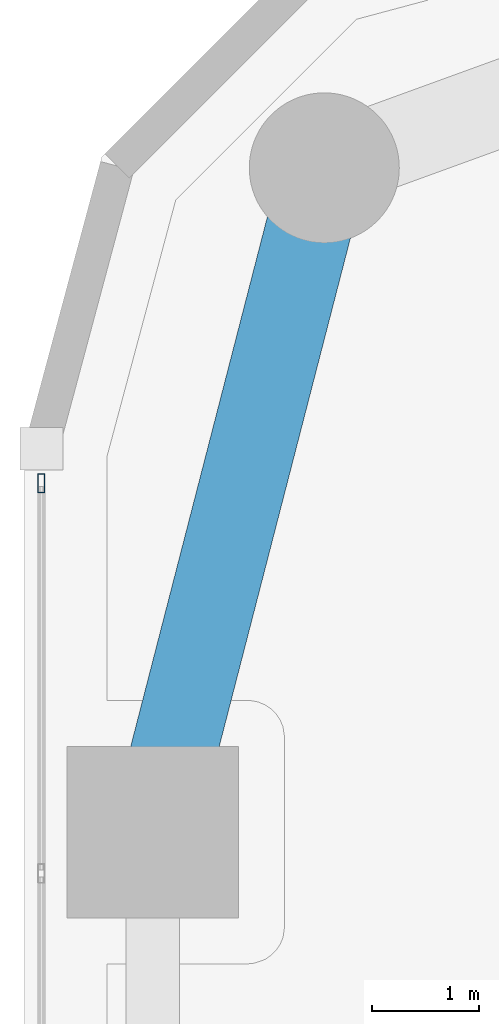
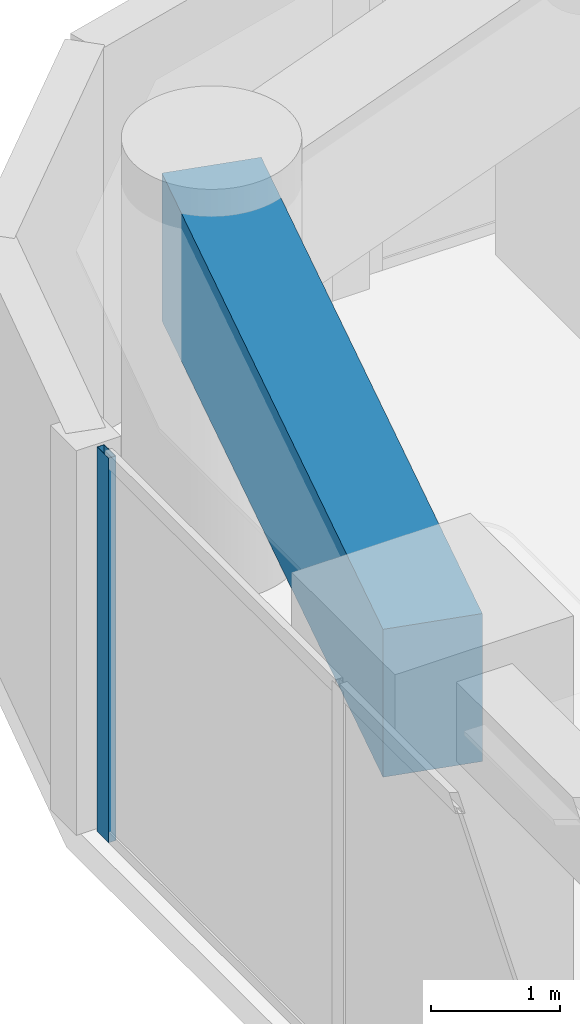
# One storey, part 14 of 29: 1 beam, 1 member, 1 element without a shape of its own.
"""IFC4 building model written with IfcOpenShell, lengths in metres."""

from ifc_helpers import new_model, si_unit, direction, frame, origin, origin_2d, place, context, subcontext, project, spatial, rectangle, hollow_rectangle, extrude, material, layer, layer_set, material_profile, profile_set, type_object, element, aggregate, save


model = new_model("IFC4")

# Units and contexts
model_context = context("Model", 3, precision=1e-05, world=origin(), true_north=direction((0.0, 1.0)))
body_context = subcontext(model_context, "Body", "Model", "MODEL_VIEW")
ifc_project = project(units=[si_unit("LENGTHUNIT", "METRE"), si_unit("AREAUNIT", "SQUARE_METRE"), si_unit("VOLUMEUNIT", "CUBIC_METRE"), si_unit("PLANEANGLEUNIT", "RADIAN"), si_unit("MASSUNIT", "GRAM", prefix="KILO")], contexts=[model_context])

# Site, building, storey
site_placement = place(None, origin())
site = spatial("IfcSite", under=ifc_project, at=site_placement, CompositionType="ELEMENT")
building_placement = place(site_placement, origin())
building = spatial("IfcBuilding", under=site, at=building_placement, Name="Kiyonajd Concourse Tower", CompositionType="ELEMENT")
storey_placement = place(building_placement, frame((0.0, 0.0, 48.89990234375)))
storey = spatial("IfcBuildingStorey", under=building, at=storey_placement, Name="L13", CompositionType="ELEMENT", Elevation=48.89990234375)

# Beam
ifc_material_1 = material(Name="Concrete C60/75", Category="concrete")
ifc_material_profile_1 = material_profile(ifc_material_1, rectangle(XDim=0.800048828125, YDim=1.39990234375, at=origin_2d()), Name="RCBM-800x1400")
ifc_profile_set_1 = profile_set([ifc_material_profile_1], Name="Concrete C60/75")
beam_type = type_object("IfcBeamType", Name="BM-XFER-RC", PredefinedType="BEAM", material=ifc_profile_set_1)
beam_placement = place(storey_placement, frame((20.800048828125, 59.60009765625, 2.940185546875), z_axis=(-0.249884937687, -0.968275538221, 0.0), x_axis=(0.968275538221, -0.249884937687, 0.0)))
element("IfcBeam", 1, at=beam_placement, inside=storey, type_object=beam_type, Name="L13 Perimeter Bundled Tube Spandrel", PredefinedType="BEAM", context=body_context, shape_type="SweptSolid", body=[
    extrude(rectangle(XDim=0.800048828125, YDim=1.39990234375, at=origin_2d()), origin(), (0.0, 0.0, 1.0), 6.4033203125),
])

# Curtain wall, member
ifc_material_2 = material(Name="Thermally Broken Anodised Aluminium", Category="aluminium")
ifc_layer = layer(ifc_material_2, 0.179931640625)
ifc_layer_set = layer_set([ifc_layer], Name="Thermally Broken Anodised Aluminium")
curtain_wall_type = type_object("IfcCurtainWallType", Name="CW-SYS-02", PredefinedType="NOTDEFINED", material=ifc_layer_set)
curtain_wall_placement = place(storey_placement, origin())
curtain_wall = element("IfcCurtainWall", 2, at=curtain_wall_placement, inside=storey, type_object=curtain_wall_type, Name="L13 Unitised Curtain Wall CW2", PredefinedType="NOTDEFINED")
ifc_material_profile_2 = material_profile(ifc_material_2, hollow_rectangle(XDim=0.06494140625, YDim=0.179931640625, WallThickness=0.00390625, at=origin_2d()), Name="MULL-65x180")
ifc_profile_set_2 = profile_set([ifc_material_profile_2], Name="Thermally Broken Anodised Aluminium")
member_type = type_object("IfcMemberType", Name="MB-CW-MULL1", PredefinedType="MULLION", material=ifc_profile_set_2)
member_placement = place(storey_placement, frame((18.159912109375, 56.656494140625, 0.0), z_axis=(0.0, 0.0, 1.0), x_axis=(-1.0, 0.0, 0.0)))
member = element("IfcMember", 3, at=member_placement, type_object=member_type, Name="CW2 mullion 7", PredefinedType="MULLION", context=body_context, shape_type="SweptSolid", body=[
    extrude(hollow_rectangle(XDim=0.06494140625, YDim=0.179931640625, WallThickness=0.00390625, at=origin_2d()), origin(), (0.0, 0.0, 1.0), 3.64013671875),
])
aggregate(curtain_wall, [member])

save(model, "model.ifc")
